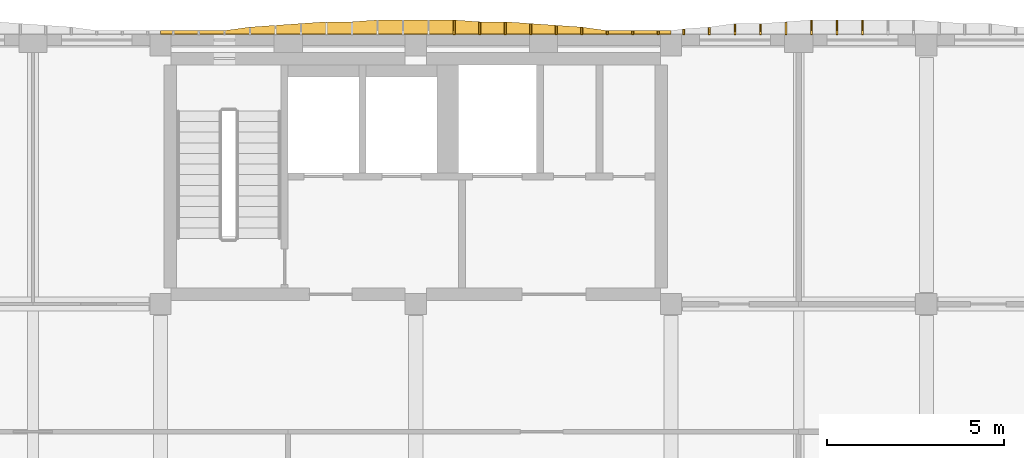
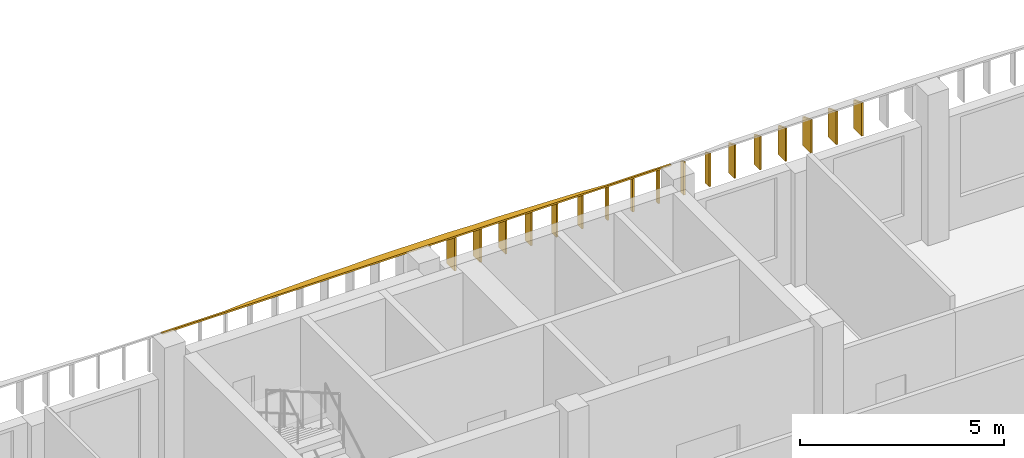
# One storey, part 37 of 44: 18 shading devices.
"""IFC4 building model written with IfcOpenShell, lengths in metres."""

from ifc_helpers import new_model, si_unit, direction, frame, origin, place, context, subcontext, project, spatial, polyline, outline, extrude, material, layer, layer_set, type_object, element, save


model = new_model("IFC4")

# Units and contexts
model_context = context("Model", 3, precision=1e-05, world=origin(), true_north=direction((0.0, 1.0)))
body_context = subcontext(model_context, "Body", "Model", "MODEL_VIEW")
ifc_project = project(units=[si_unit("LENGTHUNIT", "METRE"), si_unit("AREAUNIT", "SQUARE_METRE"), si_unit("VOLUMEUNIT", "CUBIC_METRE"), si_unit("PLANEANGLEUNIT", "RADIAN"), si_unit("MASSUNIT", "GRAM", prefix="KILO")], contexts=[model_context])

# Site, building, storey
site_placement = place(None, origin())
site = spatial("IfcSite", under=ifc_project, at=site_placement, CompositionType="ELEMENT")
building_placement = place(site_placement, origin())
building = spatial("IfcBuilding", under=site, at=building_placement, Name="Ussher Court Research Institute", CompositionType="ELEMENT")
storey_placement = place(building_placement, frame((0.0, 0.0, 18.89990234375)))
storey = spatial("IfcBuildingStorey", under=building, at=storey_placement, Name="L04", CompositionType="ELEMENT", Elevation=18.89990234375)

# Shading devices
ifc_material_1 = material(Name="Bronze anodised aluminium", Category="aluminium")
ifc_layer_1 = layer(ifc_material_1, 0.050048828125)
ifc_layer_set_1 = layer_set([ifc_layer_1], Name="Bronze anodised aluminium")
shading_device_type_1 = type_object("IfcShadingDeviceType", Name="Brim blade 100 mm deep 1000 mm high canted 20 deg dry", PredefinedType="USERDEFINED", material=ifc_layer_set_1)
for number, where, z_axis, x_axis, name in (
    (1, (58.800048828125, 90.800048828125, 3.4501953125), (0.0, 0.0, 1.0), (0.0, 1.0, 0.0), "Brim blade BS17 L04"),
    (2, (59.52001953125, 90.800048828125, 3.4501953125), (0.0, 0.0, 1.0), (0.0, 1.0, 0.0), "Brim blade BS17 L04"),
    (3, (60.239990234375, 90.800048828125, 3.4501953125), (0.0, 0.0, 1.0), (0.0, 1.0, 0.0), "Brim blade BS17 L04"),
):
    element("IfcShadingDevice", number, at=place(storey_placement, frame(where, z_axis=z_axis, x_axis=x_axis)), inside=storey, type_object=shading_device_type_1, Name=name, ObjectType="BLADE", PredefinedType="USERDEFINED", context=body_context, shape_type="SweptSolid", body=[
        extrude(outline(polyline([(0.0, 0.0), (0.099853515625, 0.0), (0.10009765625, 0.963623046875), (0.0, 1.0), (0.0, 0.0)])), frame((0.0, 0.02490234375, 0.0), z_axis=(0.0, -1.0, 0.0), x_axis=(1.0, 0.0, 0.0)), (0.0, 0.0, 1.0), 0.050048828125),
    ])
ifc_material_2 = material(Name="Bronze anodised aluminium", Category="aluminium")
ifc_layer_2 = layer(ifc_material_2, 0.050048828125)
ifc_layer_set_2 = layer_set([ifc_layer_2], Name="Bronze anodised aluminium")
shading_device_type_2 = type_object("IfcShadingDeviceType", Name="Brim blade 150 mm deep 1000 mm high canted 20 deg dry", PredefinedType="USERDEFINED", material=ifc_layer_set_2)
shading_device_1_placement = place(storey_placement, frame((60.9599609375, 90.800048828125, 3.4501953125), z_axis=(0.0, 0.0, 1.0), x_axis=(0.0, 1.0, 0.0)))
element("IfcShadingDevice", 4, at=shading_device_1_placement, inside=storey, type_object=shading_device_type_2, Name="Brim blade BS16 L04", ObjectType="BLADE", PredefinedType="USERDEFINED", context=body_context, shape_type="SweptSolid", body=[
    extrude(outline(polyline([(0.0, 0.0), (0.14990234375, 0.0), (0.14990234375, 0.9453125), (0.0, 1.0), (0.0, 0.0)])), frame((0.0, 0.02490234375, 0.0), z_axis=(0.0, -1.0, 0.0), x_axis=(1.0, 0.0, 0.0)), (0.0, 0.0, 1.0), 0.050048828125),
])
ifc_material_3 = material(Name="Bronze anodised aluminium", Category="aluminium")
ifc_layer_3 = layer(ifc_material_3, 0.050048828125)
ifc_layer_set_3 = layer_set([ifc_layer_3], Name="Bronze anodised aluminium")
shading_device_type_3 = type_object("IfcShadingDeviceType", Name="Brim blade 200 mm deep 1000 mm high canted 20 deg dry", PredefinedType="USERDEFINED", material=ifc_layer_set_3)
for number, where, z_axis, x_axis, name in (
    (5, (58.080078125, 90.800048828125, 3.4501953125), (0.0, 0.0, 1.0), (0.0, 1.0, 0.0), "Brim blade BS15 L04"),
    (6, (61.679931640625, 90.800048828125, 3.4501953125), (0.0, 0.0, 1.0), (0.0, 1.0, 0.0), "Brim blade BS15 L04"),
):
    element("IfcShadingDevice", number, at=place(storey_placement, frame(where, z_axis=z_axis, x_axis=x_axis)), inside=storey, type_object=shading_device_type_3, Name=name, ObjectType="BLADE", PredefinedType="USERDEFINED", context=body_context, shape_type="SweptSolid", body=[
        extrude(outline(polyline([(0.0, 0.0), (0.199951171875, 0.0), (0.199951171875, 0.927001953125), (0.0, 1.0), (0.0, 0.0)])), frame((0.0, 0.02490234375, 0.0), z_axis=(0.0, -1.0, 0.0), x_axis=(1.0, 0.0, 0.0)), (0.0, 0.0, 1.0), 0.050048828125),
    ])
ifc_material_4 = material(Name="Bronze anodised aluminium", Category="aluminium")
ifc_layer_4 = layer(ifc_material_4, 0.050048828125)
ifc_layer_set_4 = layer_set([ifc_layer_4], Name="Bronze anodised aluminium")
shading_device_type_4 = type_object("IfcShadingDeviceType", Name="Brim blade 250 mm deep 1000 mm high canted 20 deg dry", PredefinedType="USERDEFINED", material=ifc_layer_set_4)
shading_device_2_placement = place(storey_placement, frame((57.360107421875, 90.800048828125, 3.4501953125), z_axis=(0.0, 0.0, 1.0), x_axis=(0.0, 1.0, 0.0)))
element("IfcShadingDevice", 7, at=shading_device_2_placement, inside=storey, type_object=shading_device_type_4, Name="Brim blade BS14 L04", ObjectType="BLADE", PredefinedType="USERDEFINED", context=body_context, shape_type="SweptSolid", body=[
    extrude(outline(polyline([(0.0, 0.0), (0.25, 0.0), (0.25, 0.908935546875), (0.0, 1.0), (0.0, 0.0)])), frame((0.0, 0.02490234375, 0.0), z_axis=(0.0, -1.0, 0.0), x_axis=(1.0, 0.0, 0.0)), (0.0, 0.0, 1.0), 0.050048828125),
])
ifc_material_5 = material(Name="Bronze anodised aluminium", Category="aluminium")
ifc_layer_5 = layer(ifc_material_5, 0.050048828125)
ifc_layer_set_5 = layer_set([ifc_layer_5], Name="Bronze anodised aluminium")
shading_device_type_5 = type_object("IfcShadingDeviceType", Name="Brim blade 300 mm deep 1000 mm high canted 20 deg dry", PredefinedType="USERDEFINED", material=ifc_layer_set_5)
for number, where, z_axis, x_axis, name in (
    (8, (56.639892578125, 90.800048828125, 3.4501953125), (0.0, 0.0, 1.0), (0.0, 1.0, 0.0), "Brim blade BS13 L04"),
    (9, (62.39990234375, 90.800048828125, 3.4501953125), (0.0, 0.0, 1.0), (0.0, 1.0, 0.0), "Brim blade BS13 L04"),
    (10, (63.1201171875, 90.800048828125, 3.4501953125), (0.0, 0.0, 1.0), (0.0, 1.0, 0.0), "Brim blade BS13 L04"),
):
    element("IfcShadingDevice", number, at=place(storey_placement, frame(where, z_axis=z_axis, x_axis=x_axis)), inside=storey, type_object=shading_device_type_5, Name=name, ObjectType="BLADE", PredefinedType="USERDEFINED", context=body_context, shape_type="SweptSolid", body=[
        extrude(outline(polyline([(0.0, 0.0), (0.300048828125, 0.0), (0.300048828125, 0.890625), (0.0, 1.0), (0.0, 0.0)])), frame((0.0, 0.02490234375, 0.0), z_axis=(0.0, -1.0, 0.0), x_axis=(1.0, 0.0, 0.0)), (0.0, 0.0, 1.0), 0.050048828125),
    ])
ifc_material_6 = material(Name="Bronze anodised aluminium", Category="aluminium")
ifc_layer_6 = layer(ifc_material_6, 0.050048828125)
ifc_layer_set_6 = layer_set([ifc_layer_6], Name="Bronze anodised aluminium")
shading_device_type_6 = type_object("IfcShadingDeviceType", Name="Brim blade 350 mm deep 1000 mm high canted 20 deg dry", PredefinedType="USERDEFINED", material=ifc_layer_set_6)
for number, where, z_axis, x_axis, name in (
    (11, (55.199951171875, 90.800048828125, 3.4501953125), (0.0, 0.0, 1.0), (0.0, 1.0, 0.0), "Brim blade BS12 L04"),
    (12, (55.919921875, 90.800048828125, 3.4501953125), (0.0, 0.0, 1.0), (0.0, 1.0, 0.0), "Brim blade BS12 L04"),
    (13, (63.840087890625, 90.800048828125, 3.4501953125), (0.0, 0.0, 1.0), (0.0, 1.0, 0.0), "Brim blade BS12 L04"),
):
    element("IfcShadingDevice", number, at=place(storey_placement, frame(where, z_axis=z_axis, x_axis=x_axis)), inside=storey, type_object=shading_device_type_6, Name=name, ObjectType="BLADE", PredefinedType="USERDEFINED", context=body_context, shape_type="SweptSolid", body=[
        extrude(outline(polyline([(0.0, 0.0), (0.349853515625, 0.0), (0.35009765625, 0.87255859375), (0.0, 1.0), (0.0, 0.0)])), frame((0.0, 0.02490234375, 0.0), z_axis=(0.0, -1.0, 0.0), x_axis=(1.0, 0.0, 0.0)), (0.0, 0.0, 1.0), 0.050048828125),
    ])
ifc_material_7 = material(Name="Bronze anodised aluminium", Category="aluminium")
ifc_layer_7 = layer(ifc_material_7, 0.050048828125)
ifc_layer_set_7 = layer_set([ifc_layer_7], Name="Bronze anodised aluminium")
shading_device_type_7 = type_object("IfcShadingDeviceType", Name="Brim blade 400 mm deep 1000 mm high canted 20 deg dry", PredefinedType="USERDEFINED", material=ifc_layer_set_7)
for number, where, z_axis, x_axis, name in (
    (14, (54.47998046875, 90.800048828125, 3.4501953125), (0.0, 0.0, 1.0), (0.0, 1.0, 0.0), "Brim blade BS11 L04"),
    (15, (64.56005859375, 90.800048828125, 3.4501953125), (0.0, 0.0, 1.0), (0.0, 1.0, 0.0), "Brim blade BS11 L04"),
    (16, (65.280029296875, 90.800048828125, 3.4501953125), (0.0, 0.0, 1.0), (0.0, 1.0, 0.0), "Brim blade BS11 L04"),
    (17, (66.0, 90.800048828125, 3.4501953125), (0.0, 0.0, 1.0), (0.0, 1.0, 0.0), "Brim blade BS11 L04"),
):
    element("IfcShadingDevice", number, at=place(storey_placement, frame(where, z_axis=z_axis, x_axis=x_axis)), inside=storey, type_object=shading_device_type_7, Name=name, ObjectType="BLADE", PredefinedType="USERDEFINED", context=body_context, shape_type="SweptSolid", body=[
        extrude(outline(polyline([(0.0, 0.0), (0.39990234375, 0.0), (0.39990234375, 0.854248046875), (0.0, 1.0), (0.0, 0.0)])), frame((0.0, 0.02490234375, 0.0), z_axis=(0.0, -1.0, 0.0), x_axis=(1.0, 0.0, 0.0)), (0.0, 0.0, 1.0), 0.050048828125),
    ])
ifc_material_8 = material(Name="Bronze anodised aluminium", Category="aluminium")
ifc_layer_8 = layer(ifc_material_8, 0.0400390625)
ifc_layer_set_8 = layer_set([ifc_layer_8], Name="Bronze anodised aluminium")
shading_device_type_8 = type_object("IfcShadingDeviceType", Name="Brim visor sheet 40 mm canted 20 deg dry", PredefinedType="USERDEFINED", material=ifc_layer_set_8)
shading_device_3_placement = place(storey_placement, frame((46.199951171875, 90.813720703125, 4.48779296875), z_axis=(0.0, 0.342255779972, 0.9396068226), x_axis=(1.0, 0.0, 0.0)))
element("IfcShadingDevice", 18, at=shading_device_3_placement, inside=storey, type_object=shading_device_type_8, Name="Brim visor sheet BR2 L04", ObjectType="BRIM", PredefinedType="USERDEFINED", context=body_context, shape_type="SweptSolid", body=[
    extrude(outline(polyline([(0.0, 0.0), (14.400146484375, 0.0), (14.400146484375, 0.10650266320353347), (14.0400390625, 0.10650266320353347), (13.320068359375, 0.10650266320353347), (12.60009765625, 0.10650266320353347), (11.880126953125, 0.21285948875017546), (11.16015625, 0.2660690410819261), (10.43994140625, 0.319362151953709), (9.719970703125, 0.3725717042854596), (9.0, 0.3725717042854596), (8.280029296875, 0.4256354189603187), (7.56005859375, 0.4256354189603187), (6.840087890625, 0.4256354189603187), (6.1201171875, 0.4256354189603187), (5.400146484375, 0.3725717042854596), (4.679931640625, 0.3725717042854596), (3.9599609375, 0.319362151953709), (3.239990234375, 0.2660690410819261), (2.52001953125, 0.21285948875017546), (1.800048828125, 0.10650266320353347), (1.080078125, 0.10650266320353347), (0.360107421875, 0.10650266320353347), (0.0, 0.10650266320353347), (0.0, 0.0)])), origin(), (0.0, 0.0, -1.0), 0.0400390625),
])

save(model, "model.ifc")
